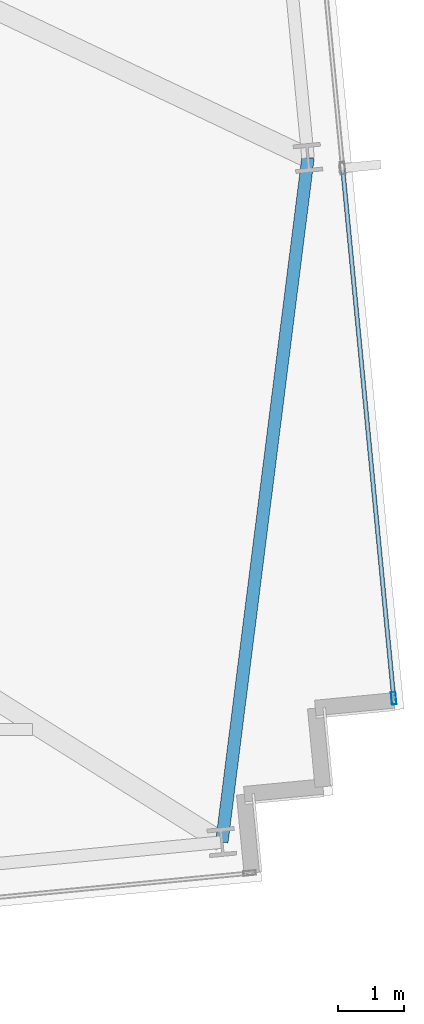
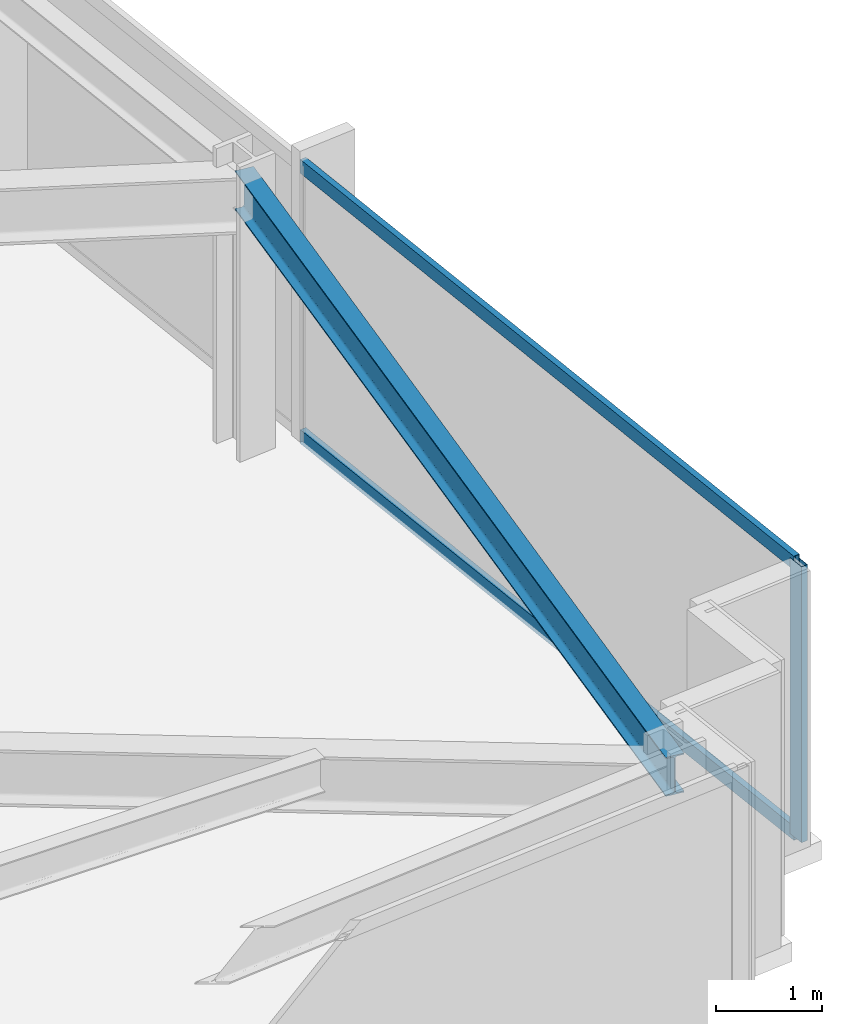
# One storey, part 14 of 32: 3 members, 1 beam, 1 element without a shape of its own.
"""IFC4 building model written with IfcOpenShell, lengths in metres."""

from ifc_helpers import new_model, si_unit, direction, frame, origin, origin_2d, place, context, subcontext, project, spatial, hollow_rectangle, i_section, extrude, material, material_profile, profile_set, type_object, element, aggregate, save


model = new_model("IFC4")

# Units and contexts
model_context = context("Model", 3, precision=1e-05, world=origin(), true_north=direction((0.0, 1.0)))
body_context = subcontext(model_context, "Body", "Model", "MODEL_VIEW")
ifc_project = project(units=[si_unit("LENGTHUNIT", "METRE"), si_unit("AREAUNIT", "SQUARE_METRE"), si_unit("VOLUMEUNIT", "CUBIC_METRE"), si_unit("PLANEANGLEUNIT", "RADIAN"), si_unit("MASSUNIT", "GRAM", prefix="KILO")], contexts=[model_context])

# Site, building, storey
site_placement = place(None, origin())
site = spatial("IfcSite", under=ifc_project, at=site_placement, CompositionType="ELEMENT")
building_placement = place(site_placement, origin())
building = spatial("IfcBuilding", under=site, at=building_placement, Name="Yelkora Congress Tower", CompositionType="ELEMENT")
storey_placement = place(building_placement, frame((0.0, 0.0, 113.5)))
storey = spatial("IfcBuildingStorey", under=building, at=storey_placement, Name="L30", CompositionType="ELEMENT", Elevation=113.5)

# Beam
ifc_material_1 = material(Name="Steel S355J2", Category="steel")
ifc_material_profile_1 = material_profile(ifc_material_1, i_section(OverallWidth=0.18994140625, OverallDepth=0.449951171875, WebThickness=0.009521484375, FlangeThickness=0.0146484375, FilletRadius=0.02099609375, at=origin_2d()), Name="IPE 450")
ifc_profile_set_1 = profile_set([ifc_material_profile_1], Name="Steel S355J2")
beam_type = type_object("IfcBeamType", Name="BM-SPAN-IPE450", PredefinedType="SPANDREL", material=ifc_profile_set_1)
beam_placement = place(storey_placement, frame((74.73193359375, 14.43505859375, 2.955078125), z_axis=(0.124929198684, 0.99216565921, 0.0), x_axis=(-0.99216565921, 0.124929198684, 0.0)))
element("IfcBeam", 1, at=beam_placement, inside=storey, type_object=beam_type, Name="L30 Perimeter Beam 10", PredefinedType="SPANDREL", context=body_context, shape_type="SweptSolid", body=[
    extrude(i_section(OverallWidth=0.18994140625, OverallDepth=0.449951171875, WebThickness=0.009521484375, FlangeThickness=0.0146484375, FilletRadius=0.02099609375, at=origin_2d()), origin(), (0.0, 0.0, 1.0), 10.48046875),
])

# Curtain wall, members
ifc_material_2 = material(Name="Anodised aluminium and insulated glass", Category="aluminium")
curtain_wall_type = type_object("IfcCurtainWallType", Name="CW-SYS-B2", PredefinedType="NOTDEFINED", material=ifc_material_2)
curtain_wall_placement = place(storey_placement, origin())
curtain_wall = element("IfcCurtainWall", 2, at=curtain_wall_placement, inside=storey, type_object=curtain_wall_type, Name="L30 Unitised Curtain Wall 15", PredefinedType="NOTDEFINED")
ifc_material_3 = material(Name="Anodised aluminium 6063-T6", Category="aluminium")
ifc_material_profile_2 = material_profile(ifc_material_3, hollow_rectangle(XDim=0.070068359375, YDim=0.18994140625, WallThickness=0.00390625, at=origin_2d()), Name="ALU 70x190x4")
ifc_profile_set_2 = profile_set([ifc_material_profile_2], Name="Anodised aluminium 6063-T6")
member_type_1 = type_object("IfcMemberType", Name="MEM-ML-B2", PredefinedType="MULLION", material=ifc_profile_set_2)
member_1_placement = place(storey_placement, frame((77.34423828125, 16.62060546875, 0.0), z_axis=(0.0, 0.0, 1.0), x_axis=(0.995396507508, 0.095842541913, 0.0)))
member_1 = element("IfcMember", 3, at=member_1_placement, type_object=member_type_1, Name="CW-B2 mullion 5", PredefinedType="MULLION", context=body_context, shape_type="SweptSolid", body=[
    extrude(hollow_rectangle(XDim=0.070068359375, YDim=0.18994140625, WallThickness=0.00390625, at=origin_2d()), origin(), (0.0, 0.0, 1.0), 3.179931640625),
])
ifc_material_profile_3 = material_profile(ifc_material_3, hollow_rectangle(XDim=0.06494140625, YDim=0.159912109375, WallThickness=0.00390625, at=origin_2d()), Name="ALU 65x160x4")
ifc_profile_set_3 = profile_set([ifc_material_profile_3], Name="Anodised aluminium 6063-T6")
member_type_2 = type_object("IfcMemberType", Name="MEM-TR-B2", PredefinedType="USERDEFINED", material=ifc_profile_set_3)
member_2_placement = place(storey_placement, frame((76.57177734375, 24.6435546875, 0.032470703125), z_axis=(0.095858482834, -0.995394972495, 0.0), x_axis=(0.995394972495, 0.095858482834, 0.0)))
member_2 = element("IfcMember", 4, at=member_2_placement, type_object=member_type_2, Name="CW-B2 transom 4.1", ObjectType="TRANSOM", PredefinedType="USERDEFINED", context=body_context, shape_type="SweptSolid", body=[
    extrude(hollow_rectangle(XDim=0.06494140625, YDim=0.159912109375, WallThickness=0.00390625, at=origin_2d()), origin(), (0.0, 0.0, 1.0), 8.025146484375),
])
member_3_placement = place(storey_placement, frame((76.57177734375, 24.6435546875, 3.1474609375), z_axis=(0.095858482834, -0.995394972495, 0.0), x_axis=(0.995394972495, 0.095858482834, 0.0)))
member_3 = element("IfcMember", 5, at=member_3_placement, type_object=member_type_2, Name="CW-B2 transom 4.2", ObjectType="TRANSOM", PredefinedType="USERDEFINED", context=body_context, shape_type="SweptSolid", body=[
    extrude(hollow_rectangle(XDim=0.06494140625, YDim=0.159912109375, WallThickness=0.00390625, at=origin_2d()), origin(), (0.0, 0.0, 1.0), 8.025146484375),
])
aggregate(curtain_wall, [member_1, member_2, member_3])

save(model, "model.ifc")
